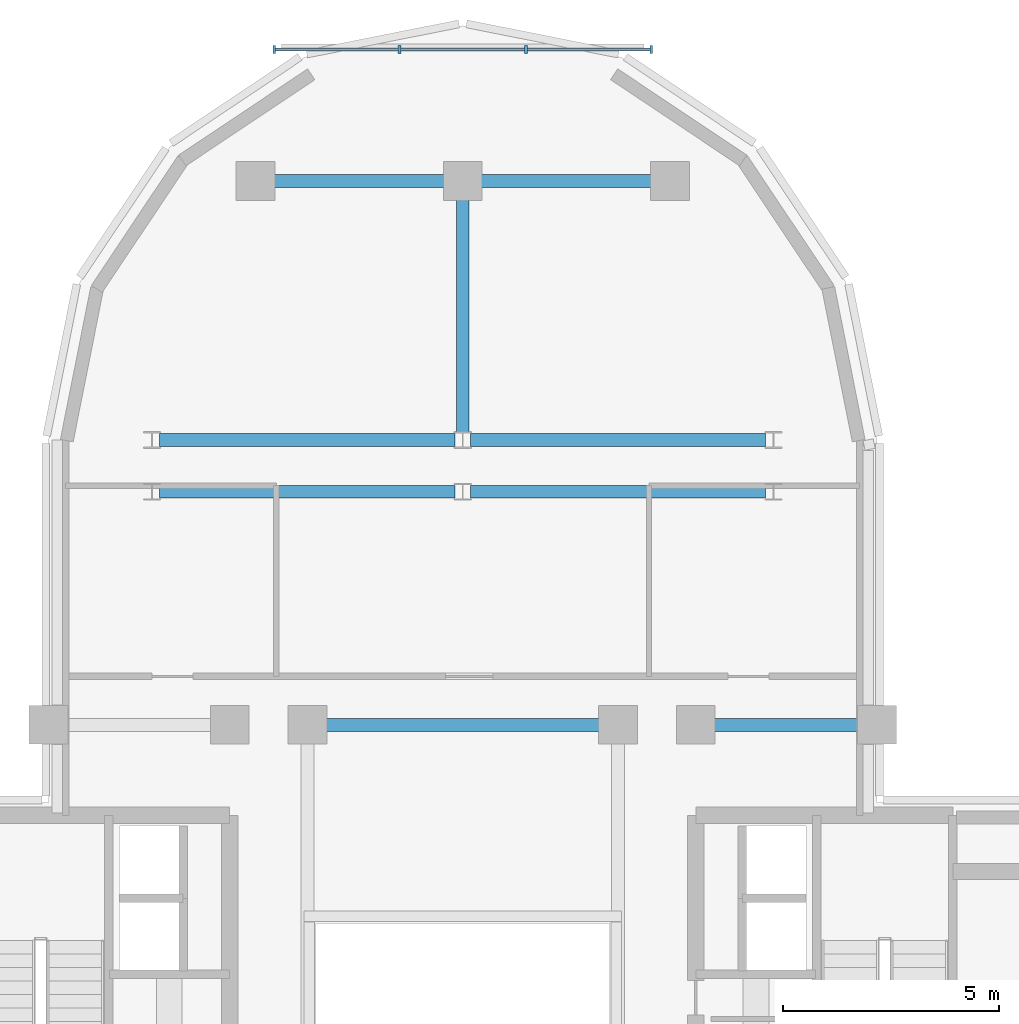
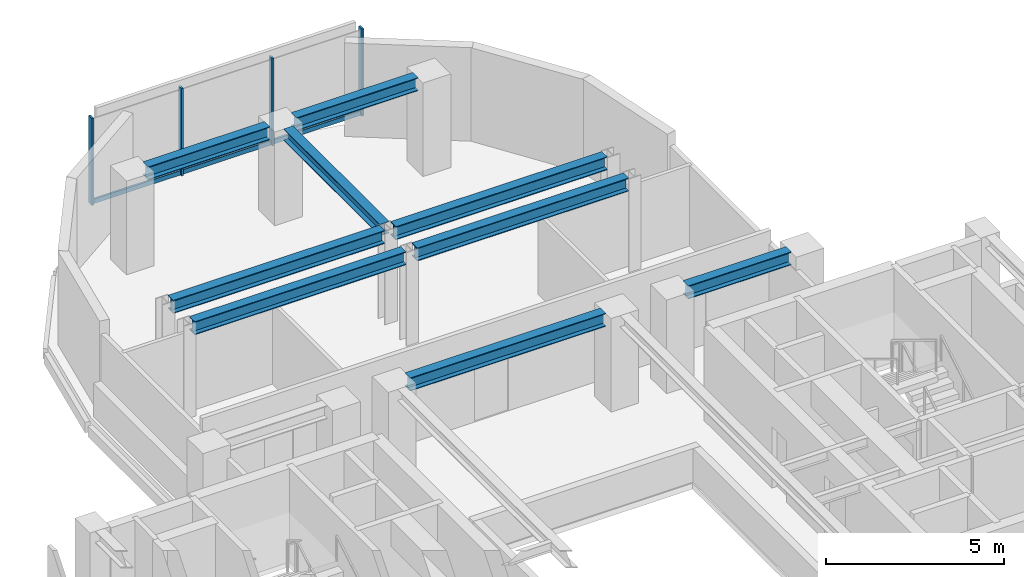
# One storey, part 4 of 11: 9 beams, 7 members, 1 element without a shape of its own.
"""IFC4 building model written with IfcOpenShell, lengths in metres."""

from ifc_helpers import new_model, si_unit, direction, frame, origin, origin_2d, place, context, subcontext, project, spatial, rectangle, i_section, extrude, source, transform, mapped, material, material_profile, profile_set, type_object, element, aggregate, save


model = new_model("IFC4")

# Units and contexts
model_context = context("Model", 3, precision=1e-05, world=origin(), true_north=direction((0.0, 1.0)))
body_context = subcontext(model_context, "Body", "Model", "MODEL_VIEW")
ifc_project = project(units=[si_unit("LENGTHUNIT", "METRE"), si_unit("AREAUNIT", "SQUARE_METRE"), si_unit("VOLUMEUNIT", "CUBIC_METRE"), si_unit("PLANEANGLEUNIT", "RADIAN"), si_unit("MASSUNIT", "GRAM", prefix="KILO")], contexts=[model_context])

# Site, building, storey
site_placement = place(None, origin())
site = spatial("IfcSite", under=ifc_project, at=site_placement, CompositionType="ELEMENT")
building_placement = place(site_placement, origin())
building = spatial("IfcBuilding", under=site, at=building_placement, Name="Keilestroom Media Tower", CompositionType="ELEMENT")
storey_placement = place(building_placement, frame((0.0, 0.0, 170.60009765625)))
storey = spatial("IfcBuildingStorey", under=building, at=storey_placement, Name="L46", CompositionType="ELEMENT", Elevation=170.60009765625)

# Beams
ifc_material_1 = material(Name="Steel S355", Category="steel")
ifc_material_profile_1 = material_profile(ifc_material_1, i_section(OverallWidth=0.300048828125, OverallDepth=0.449951171875, WebThickness=0.011962890625, FlangeThickness=0.02587890625, at=origin_2d()), Name="HEB 450")
ifc_profile_set_1 = profile_set([ifc_material_profile_1], Name="Steel S355")
beam_type_1 = type_object("IfcBeamType", Name="Primary-Structural-Girder-HEB-450", PredefinedType="BEAM", material=ifc_profile_set_1)
shared_shape_1 = source(origin(), body_context, "Body", "SweptSolid", [
    extrude(i_section(OverallWidth=0.300048828125, OverallDepth=0.449951171875, WebThickness=0.011962890625, FlangeThickness=0.02587890625, at=origin_2d()), origin(), (0.0, 0.0, 1.0), 3.940185546875),
])
for number, where, z_axis, x_axis, name in (
    (1, (-4.3701171875, 21.60009765625, 2.974853515625), (1.0, 0.0, 0.0), (0.0, 1.0, 0.0), "L46 Beam BG-7 BM-L46-EW-029"),
    (2, (0.429931640625, 21.60009765625, 2.974853515625), (1.0, 0.0, 0.0), (0.0, 1.0, 0.0), "L46 Beam BG-7 BM-L46-EW-030"),
):
    element("IfcBeam", number, at=place(storey_placement, frame(where, z_axis=z_axis, x_axis=x_axis)), inside=storey, type_object=beam_type_1, Name=name, PredefinedType="BEAM", context=body_context, shape_type="MappedRepresentation", body=[
        mapped(shared_shape_1, transform((0.0, 0.0, 0.0), x_axis=(1.0, 0.0, 0.0), y_axis=(0.0, 1.0, 0.0), z_axis=(0.0, 0.0, 1.0), scale=1.0)),
    ])
shared_shape_2 = source(origin(), body_context, "Body", "SweptSolid", [
    extrude(i_section(OverallWidth=0.300048828125, OverallDepth=0.449951171875, WebThickness=0.011962890625, FlangeThickness=0.02587890625, at=origin_2d()), origin(), (0.0, 0.0, 1.0), 6.842041015625),
])
for number, where, z_axis, x_axis, name in (
    (3, (-7.02099609375, 14.39990234375, 2.974853515625), (1.0, 0.0, 0.0), (0.0, 1.0, 0.0), "L46 Beam BG-7 BM-L46-EW-025"),
    (4, (0.178955078125, 14.39990234375, 2.974853515625), (1.0, 0.0, 0.0), (0.0, 1.0, 0.0), "L46 Beam BG-7 BM-L46-EW-026"),
    (5, (-7.02099609375, 15.60009765625, 2.974853515625), (1.0, 0.0, 0.0), (0.0, 1.0, 0.0), "L46 Beam BG-7 BM-L46-EW-027"),
    (6, (0.178955078125, 15.60009765625, 2.974853515625), (1.0, 0.0, 0.0), (0.0, 1.0, 0.0), "L46 Beam BG-7 BM-L46-EW-028"),
):
    element("IfcBeam", number, at=place(storey_placement, frame(where, z_axis=z_axis, x_axis=x_axis)), inside=storey, type_object=beam_type_1, Name=name, PredefinedType="BEAM", context=body_context, shape_type="MappedRepresentation", body=[
        mapped(shared_shape_2, transform((0.0, 0.0, 0.0), x_axis=(1.0, 0.0, 0.0), y_axis=(0.0, 1.0, 0.0), z_axis=(0.0, 0.0, 1.0), scale=1.0)),
    ])
shared_shape_3 = source(origin(), body_context, "Body", "SweptSolid", [
    extrude(i_section(OverallWidth=0.300048828125, OverallDepth=0.449951171875, WebThickness=0.011962890625, FlangeThickness=0.02587890625, at=origin_2d()), origin(), (0.0, 0.0, 1.0), 3.33984375),
])
beam_1_placement = place(storey_placement, frame((5.830078125, 9.0, 2.974853515625), z_axis=(1.0, 0.0, 0.0), x_axis=(0.0, 1.0, 0.0)))
element("IfcBeam", 7, at=beam_1_placement, inside=storey, type_object=beam_type_1, Name="L46 Beam BG-7 BM-L46-EW-024", PredefinedType="BEAM", context=body_context, shape_type="MappedRepresentation", body=[
    mapped(shared_shape_3, transform((0.0, 0.0, 0.0), x_axis=(1.0, 0.0, 0.0), y_axis=(0.0, 1.0, 0.0), z_axis=(0.0, 0.0, 1.0), scale=1.0)),
])
shared_shape_4 = source(origin(), body_context, "Body", "SweptSolid", [
    extrude(i_section(OverallWidth=0.300048828125, OverallDepth=0.449951171875, WebThickness=0.011962890625, FlangeThickness=0.02587890625, at=origin_2d()), origin(), (0.0, 0.0, 1.0), 6.33984375),
])
beam_2_placement = place(storey_placement, frame((-3.169921875, 9.0, 2.974853515625), z_axis=(1.0, 0.0, 0.0), x_axis=(0.0, 1.0, 0.0)))
element("IfcBeam", 8, at=beam_2_placement, inside=storey, type_object=beam_type_1, Name="L46 Beam BG-7 BM-L46-EW-022", PredefinedType="BEAM", context=body_context, shape_type="MappedRepresentation", body=[
    mapped(shared_shape_4, transform((0.0, 0.0, 0.0), x_axis=(1.0, 0.0, 0.0), y_axis=(0.0, 1.0, 0.0), z_axis=(0.0, 0.0, 1.0), scale=1.0)),
])
ifc_material_profile_2 = material_profile(ifc_material_1, i_section(OverallWidth=0.300048828125, OverallDepth=0.39990234375, WebThickness=0.011474609375, FlangeThickness=0.02392578125, at=origin_2d()), Name="HEB 400")
ifc_profile_set_2 = profile_set([ifc_material_profile_2], Name="Steel S355")
beam_type_2 = type_object("IfcBeamType", Name="Primary-Structural-Girder-HEB-400", PredefinedType="BEAM", material=ifc_profile_set_2)
shared_shape_5 = source(origin(), body_context, "Body", "SweptSolid", [
    extrude(i_section(OverallWidth=0.300048828125, OverallDepth=0.39990234375, WebThickness=0.011474609375, FlangeThickness=0.02392578125, at=origin_2d()), origin(), (0.0, 0.0, 1.0), 5.396484375),
])
beam_3_placement = place(storey_placement, frame((0.0, 15.7734375, 3.0), z_axis=(0.0, 1.0, 0.0), x_axis=(-1.0, 0.0, 0.0)))
element("IfcBeam", 9, at=beam_3_placement, inside=storey, type_object=beam_type_2, Name="L46 Beam BG-8 BM-L46-NS-044", PredefinedType="BEAM", context=body_context, shape_type="MappedRepresentation", body=[
    mapped(shared_shape_5, transform((0.0, 0.0, 0.0), x_axis=(1.0, 0.0, 0.0), y_axis=(0.0, 1.0, 0.0), z_axis=(0.0, 0.0, 1.0), scale=1.0)),
])

# Curtain wall, members
ifc_material_2 = material(Name="Anodised Aluminium Alloy", Category="aluminium")
curtain_wall_type = type_object("IfcCurtainWallType", Name="Unitised-Curtain-Wall-CW-6", PredefinedType="NOTDEFINED", material=ifc_material_2)
curtain_wall_placement = place(storey_placement, origin())
curtain_wall = element("IfcCurtainWall", 10, at=curtain_wall_placement, inside=storey, type_object=curtain_wall_type, Name="L46 Curtain Wall CW-6 CW-L46-LN-1", PredefinedType="NOTDEFINED")
ifc_material_profile_3 = material_profile(ifc_material_2, rectangle(XDim=0.06494140625, YDim=0.179931640625, at=origin_2d()), Name="ALU MULLION 65x180")
ifc_profile_set_3 = profile_set([ifc_material_profile_3], Name="Anodised Aluminium Alloy")
member_type_1 = type_object("IfcMemberType", Name="Curtain-Wall-Mullion-CW-6", PredefinedType="MULLION", material=ifc_profile_set_3)
shared_shape_6 = source(origin(), body_context, "Body", "SweptSolid", [
    extrude(rectangle(XDim=0.06494140625, YDim=0.179931640625, at=origin_2d()), origin(), (0.0, 0.0, 1.0), 2.97998046875),
])
member_1_placement = place(storey_placement, frame((-4.367431640625, 24.64990234375, 0.0), z_axis=(0.0, 0.0, 1.0), x_axis=(1.0, 0.0, 0.0)))
member_1 = element("IfcMember", 11, at=member_1_placement, type_object=member_type_1, Name="CW-6 Mullion 00", PredefinedType="MULLION", context=body_context, shape_type="MappedRepresentation", body=[
    mapped(shared_shape_6, transform((0.0, 0.0, 0.0), x_axis=(1.0, 0.0, 0.0), y_axis=(0.0, 1.0, 0.0), z_axis=(0.0, 0.0, 1.0), scale=1.0)),
])
member_2_placement = place(storey_placement, frame((-1.466796875, 24.64990234375, 0.0), z_axis=(0.0, 0.0, 1.0), x_axis=(1.0, 0.0, 0.0)))
member_2 = element("IfcMember", 12, at=member_2_placement, type_object=member_type_1, Name="CW-6 Mullion 01", PredefinedType="MULLION", context=body_context, shape_type="MappedRepresentation", body=[
    mapped(shared_shape_6, transform((0.0, 0.0, 0.0), x_axis=(1.0, 0.0, 0.0), y_axis=(0.0, 1.0, 0.0), z_axis=(0.0, 0.0, 1.0), scale=1.0)),
])
member_3_placement = place(storey_placement, frame((1.466796875, 24.64990234375, 0.0), z_axis=(0.0, 0.0, 1.0), x_axis=(1.0, 0.0, 0.0)))
member_3 = element("IfcMember", 13, at=member_3_placement, type_object=member_type_1, Name="CW-6 Mullion 02", PredefinedType="MULLION", context=body_context, shape_type="MappedRepresentation", body=[
    mapped(shared_shape_6, transform((0.0, 0.0, 0.0), x_axis=(1.0, 0.0, 0.0), y_axis=(0.0, 1.0, 0.0), z_axis=(0.0, 0.0, 1.0), scale=1.0)),
])
member_4_placement = place(storey_placement, frame((4.367431640625, 24.64990234375, 0.0), z_axis=(0.0, 0.0, 1.0), x_axis=(1.0, 0.0, 0.0)))
member_4 = element("IfcMember", 14, at=member_4_placement, type_object=member_type_1, Name="CW-6 Mullion 03", PredefinedType="MULLION", context=body_context, shape_type="MappedRepresentation", body=[
    mapped(shared_shape_6, transform((0.0, 0.0, 0.0), x_axis=(1.0, 0.0, 0.0), y_axis=(0.0, 1.0, 0.0), z_axis=(0.0, 0.0, 1.0), scale=1.0)),
])
ifc_material_profile_4 = material_profile(ifc_material_2, rectangle(XDim=0.06494140625, YDim=0.14990234375, at=origin_2d()), Name="ALU TRANSOM 65x150")
ifc_profile_set_4 = profile_set([ifc_material_profile_4], Name="Anodised Aluminium Alloy")
member_type_2 = type_object("IfcMemberType", Name="Curtain-Wall-Transom-CW-6", PredefinedType="USERDEFINED", material=ifc_profile_set_4)
shared_shape_7 = source(origin(), body_context, "Body", "SweptSolid", [
    extrude(rectangle(XDim=0.06494140625, YDim=0.14990234375, at=origin_2d()), origin(), (0.0, 0.0, 1.0), 2.839599609375),
])
member_5_placement = place(storey_placement, frame((-4.3369140625, 24.64990234375, 0.074951171875), z_axis=(1.0, 0.0, 0.0), x_axis=(0.0, 1.0, 0.0)))
member_5 = element("IfcMember", 15, at=member_5_placement, type_object=member_type_2, Name="CW-6 Transom 00.1", ObjectType="TRANSOM", PredefinedType="USERDEFINED", context=body_context, shape_type="MappedRepresentation", body=[
    mapped(shared_shape_7, transform((0.0, 0.0, 0.0), x_axis=(1.0, 0.0, 0.0), y_axis=(0.0, 1.0, 0.0), z_axis=(0.0, 0.0, 1.0), scale=1.0)),
])
member_6_placement = place(storey_placement, frame((1.497314453125, 24.64990234375, 0.074951171875), z_axis=(1.0, 0.0, 0.0), x_axis=(0.0, 1.0, 0.0)))
member_6 = element("IfcMember", 16, at=member_6_placement, type_object=member_type_2, Name="CW-6 Transom 02.1", ObjectType="TRANSOM", PredefinedType="USERDEFINED", context=body_context, shape_type="MappedRepresentation", body=[
    mapped(shared_shape_7, transform((0.0, 0.0, 0.0), x_axis=(1.0, 0.0, 0.0), y_axis=(0.0, 1.0, 0.0), z_axis=(0.0, 0.0, 1.0), scale=1.0)),
])
shared_shape_8 = source(origin(), body_context, "Body", "SweptSolid", [
    extrude(rectangle(XDim=0.06494140625, YDim=0.14990234375, at=origin_2d()), origin(), (0.0, 0.0, 1.0), 2.87255859375),
])
member_7_placement = place(storey_placement, frame((-1.436279296875, 24.64990234375, 0.074951171875), z_axis=(1.0, 0.0, 0.0), x_axis=(0.0, 1.0, 0.0)))
member_7 = element("IfcMember", 17, at=member_7_placement, type_object=member_type_2, Name="CW-6 Transom 01.1", ObjectType="TRANSOM", PredefinedType="USERDEFINED", context=body_context, shape_type="MappedRepresentation", body=[
    mapped(shared_shape_8, transform((0.0, 0.0, 0.0), x_axis=(1.0, 0.0, 0.0), y_axis=(0.0, 1.0, 0.0), z_axis=(0.0, 0.0, 1.0), scale=1.0)),
])
aggregate(curtain_wall, [member_1, member_2, member_3, member_4, member_5, member_7, member_6])

save(model, "model.ifc")
